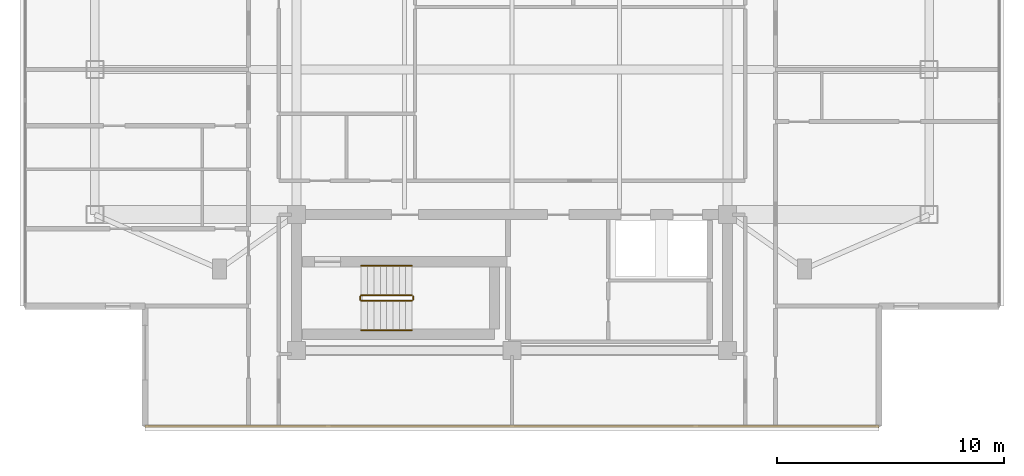
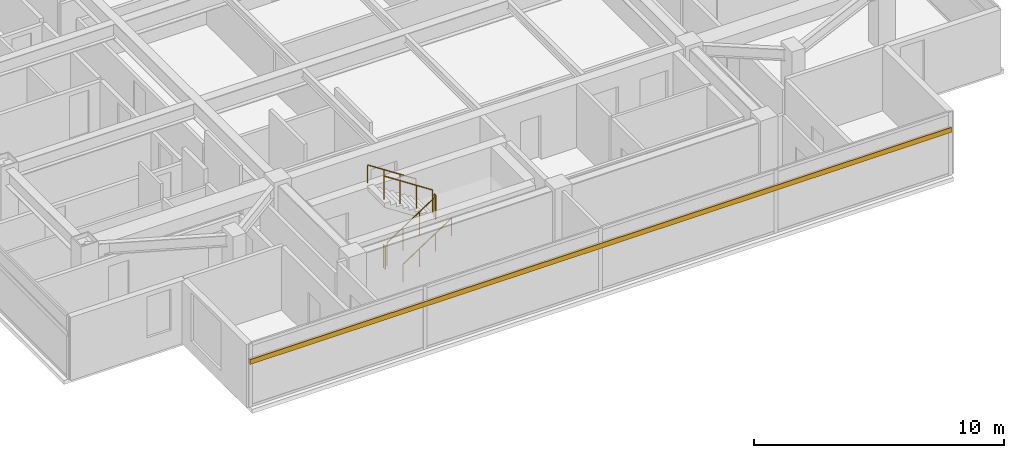
# One storey, part 12 of 14: 6 railings, 1 shading device.
"""IFC4 building model written with IfcOpenShell, lengths in metres."""

import ifcopenshell
import ifcopenshell.guid

model = None  # the IFC model being written
_history = None  # IfcOwnerHistory: only IFC2X3 demands one
_inside = {}  # id of a spatial element -> (the spatial element, [elements in it])
_under = {}  # id of a project, library or spatial element -> (it, [spatial elements below it])
_declared = {}  # id of a project -> (the project, [libraries it declares])
_typed = {}  # id of a type object -> (the type object, [elements of that type])
_made_of = {}  # id of a material, layer set ... -> (it, [elements and type objects made of it])


def new_model(schema):
    """Start an empty IFC model of exactly this schema.

    Asked for "IFC4X3", IfcOpenShell would pick the latest addendum, in which some entities
    have other attributes; the version numbers below select the first issue.
    IFC2X3 requires an IfcOwnerHistory on every rooted entity: one is made here for all.
    """
    global model, _history
    if schema == "IFC4X3":
        model = ifcopenshell.file(schema_version=(4, 3, 0, 0))
    else:
        model = ifcopenshell.file(schema=schema)
    _inside.clear()
    _under.clear()
    _declared.clear()
    _typed.clear()
    _made_of.clear()
    _history = None
    if model.schema == "IFC2X3":
        org = make("IfcOrganization", Name="unknown")
        user = make(
            "IfcPersonAndOrganization",
            ThePerson=make("IfcPerson", FamilyName="unknown"),
            TheOrganization=org,
        )
        app = make(
            "IfcApplication",
            ApplicationDeveloper=org,
            Version="unknown",
            ApplicationFullName="unknown",
            ApplicationIdentifier="unknown",
        )
        _history = make(
            "IfcOwnerHistory",
            OwningUser=user,
            OwningApplication=app,
            ChangeAction="ADDED",
            CreationDate=0,
        )
    return model


def make(cls, **values):
    """One entity of the class cls with the attributes given. An attribute that is None is left unset."""
    return model.create_entity(
        cls, **{name: value for name, value in values.items() if value is not None}
    )


def rooted(cls, **values):
    """An entity with a GlobalId (a new one), such as an element, a storey or a relation."""
    return make(cls, GlobalId=ifcopenshell.guid.new(), OwnerHistory=_history, **values)


def si_unit(unit_type, name, prefix=None):
    """IfcSIUnit, for example si_unit("LENGTHUNIT", "METRE", prefix="MILLI")."""
    return make("IfcSIUnit", UnitType=unit_type, Prefix=prefix, Name=name)


def assignment(units):
    """IfcUnitAssignment: the units of a project."""
    return None if units is None else make("IfcUnitAssignment", Units=units)


def point(xyz):
    """IfcCartesianPoint."""
    return None if xyz is None else make("IfcCartesianPoint", Coordinates=xyz)


def direction(xyz):
    """IfcDirection."""
    return None if xyz is None else make("IfcDirection", DirectionRatios=xyz)


def frame(location, z_axis=None, x_axis=None):
    """IfcAxis2Placement3D, a coordinate frame: its origin and axes. An axis left out is left unset."""
    return make(
        "IfcAxis2Placement3D",
        Location=point(location),
        Axis=direction(z_axis),
        RefDirection=direction(x_axis),
    )


def frame_2d(location, x_axis=None):
    """IfcAxis2Placement2D, a coordinate frame in the plane: its origin and x axis."""
    return make(
        "IfcAxis2Placement2D", Location=point(location), RefDirection=direction(x_axis)
    )


def origin():
    """The frame at (0, 0, 0) with its axes left unset."""
    return frame((0.0, 0.0, 0.0))


def origin_2d():
    """The frame at (0, 0) in the plane with its x axis left unset."""
    return frame_2d((0.0, 0.0))


def place(relative_to, where):
    """IfcLocalPlacement: puts the frame where relative to a parent placement (None: the world)."""
    return make(
        "IfcLocalPlacement", PlacementRelTo=relative_to, RelativePlacement=where
    )


def context(
    kind, dimensions, precision=None, world=None, true_north=None, identifier=None
):
    """IfcGeometricRepresentationContext, for example the 3D "Model" context."""
    return make(
        "IfcGeometricRepresentationContext",
        ContextIdentifier=identifier,
        ContextType=kind,
        CoordinateSpaceDimension=dimensions,
        Precision=precision,
        WorldCoordinateSystem=world,
        TrueNorth=true_north,
    )


def subcontext(parent, identifier, kind, view, scale=None):
    """IfcGeometricRepresentationSubContext, for example "Body" below "Model"."""
    return make(
        "IfcGeometricRepresentationSubContext",
        ContextIdentifier=identifier,
        ContextType=kind,
        ParentContext=parent,
        TargetScale=scale,
        TargetView=view,
    )


def project(units=None, contexts=None):
    """IfcProject with its units and contexts."""
    return rooted(
        "IfcProject",
        Name="project",
        RepresentationContexts=contexts,
        UnitsInContext=assignment(units),
    )


def spatial(cls, under=None, at=None, **own):
    """A site, building, storey or space (cls), placed at a placement, below another one or the project."""
    s = rooted(cls, ObjectPlacement=at, **own)
    if under is not None:
        _under.setdefault(under.id(), (under, []))[1].append(s)
    return s


def profile(cls, at=None, kind="AREA", **sizes):
    """A parametric profile (cls). Its sizes go by their IFC names, for example OverallWidth=200.0."""
    return make(cls, ProfileType=kind, Position=at, **sizes)


def rectangle(**sizes):
    """IfcRectangleProfileDef."""
    return profile("IfcRectangleProfileDef", **sizes)


def circle(**sizes):
    """IfcCircleProfileDef."""
    return profile("IfcCircleProfileDef", **sizes)


def extrude(swept, where, along, depth):
    """IfcExtrudedAreaSolid: the profile swept, set in the frame where, extruded along a direction by depth."""
    return make(
        "IfcExtrudedAreaSolid",
        SweptArea=swept,
        Position=where,
        ExtrudedDirection=direction(along),
        Depth=depth,
    )


def shape(context_of_items, identifier, shape_type, items):
    """IfcShapeRepresentation: the items that make up one representation, for example the "Body"."""
    return make(
        "IfcShapeRepresentation",
        ContextOfItems=context_of_items,
        RepresentationIdentifier=identifier,
        RepresentationType=shape_type,
        Items=items,
    )


def material(Name=None, Category=None):
    """IfcMaterial."""
    return make("IfcMaterial", Name=Name, Category=Category)


def material_profile(
    of_material, cross_section, Name=None, Category=None, Priority=None
):
    """IfcMaterialProfile: a cross section and its material."""
    return make(
        "IfcMaterialProfile",
        Name=Name,
        Material=of_material,
        Profile=cross_section,
        Priority=Priority,
        Category=Category,
    )


def profile_set(profiles, Name=None, composite=None):
    """IfcMaterialProfileSet."""
    return make(
        "IfcMaterialProfileSet",
        Name=Name,
        MaterialProfiles=profiles,
        CompositeProfile=composite,
    )


def made_of(thing, what):
    """Note that an element or type object is made of a material, layer set ...; save() writes the relation."""
    if what is not None:
        _made_of.setdefault(what.id(), (what, []))[1].append(thing)
    return thing


def type_object(cls, material=None, **own):
    """A type object (cls), such as IfcWallType, which elements share."""
    return made_of(rooted(cls, **own), material)


def element(
    cls,
    number,
    at=None,
    inside=None,
    cuts=None,
    type_object=None,
    material=None,
    context=None,
    identifier="Body",
    shape_type=None,
    held_by="IfcProductDefinitionShape",
    body=None,
    shapes=None,
    **own,
):
    """One element of the class cls, such as IfcWall. Its Tag is "e" and its number.

    at: its placement. inside: the storey or other place that contains it. cuts: it is an
    opening in that element (IfcRelVoidsElement). A single representation is given by context,
    identifier, shape_type and body (its items); several are given by shapes. held_by: the class
    of the entity that holds the representations. save() writes the other relations.
    """
    e = rooted(cls, Tag="e%d" % number, ObjectPlacement=at, **own)
    if body is not None:
        shapes = [shape(context, identifier, shape_type, body)]
    if shapes is not None:
        e.Representation = make(held_by, Representations=shapes)
    if inside is not None:
        _inside.setdefault(inside.id(), (inside, []))[1].append(e)
    if cuts is not None:
        rooted(
            "IfcRelVoidsElement", RelatingBuildingElement=cuts, RelatedOpeningElement=e
        )
    if type_object is not None:
        _typed.setdefault(type_object.id(), (type_object, []))[1].append(e)
    return made_of(e, material)


def aggregate(whole, parts):
    """IfcRelAggregates: a whole, such as a stair, and the parts it consists of."""
    return rooted("IfcRelAggregates", RelatingObject=whole, RelatedObjects=parts)


def save(model, path):
    """Write the relations noted so far, then the file.

    IfcRelAggregates (storeys below a building ...), IfcRelContainedInSpatialStructure (elements
    in a storey), IfcRelDefinesByType, IfcRelAssociatesMaterial and IfcRelDeclares: one each for
    every whole, place, type object, material and project.
    """
    for whole, parts in _under.values():
        aggregate(whole, parts)
    for where, things in _inside.values():
        rooted(
            "IfcRelContainedInSpatialStructure",
            RelatedElements=things,
            RelatingStructure=where,
        )
    for kind, things in _typed.values():
        rooted("IfcRelDefinesByType", RelatedObjects=things, RelatingType=kind)
    for what, things in _made_of.values():
        rooted("IfcRelAssociatesMaterial", RelatedObjects=things, RelatingMaterial=what)
    for by, libraries in _declared.values():
        rooted("IfcRelDeclares", RelatingContext=by, RelatedDefinitions=libraries)
    model.write(path)


model = new_model("IFC4")

# Units and contexts
model_context = context("Model", 3, precision=1e-05, world=origin(), true_north=direction((0.0, 1.0)))
body_context = subcontext(model_context, "Body", "Model", "MODEL_VIEW")
ifc_project = project(units=[si_unit("LENGTHUNIT", "METRE"), si_unit("AREAUNIT", "SQUARE_METRE"), si_unit("VOLUMEUNIT", "CUBIC_METRE"), si_unit("PLANEANGLEUNIT", "RADIAN"), si_unit("MASSUNIT", "GRAM", prefix="KILO")], contexts=[model_context])

# Site, building, storey
site_placement = place(None, origin())
site = spatial("IfcSite", under=ifc_project, at=site_placement, CompositionType="ELEMENT")
building_placement = place(site_placement, origin())
building = spatial("IfcBuilding", under=site, at=building_placement, Name="Mirazonda Arch Towers", CompositionType="ELEMENT")
storey_placement = place(building_placement, frame((0.0, 0.0, 235.89990234375)))
storey = spatial("IfcBuildingStorey", under=building, at=storey_placement, Name="L67", CompositionType="ELEMENT", Elevation=235.89990234375)

# Shading device
ifc_material_1 = material(Name="Kiln-Fired Architectural Terracotta", Category="masonry")
ifc_material_profile = material_profile(ifc_material_1, rectangle(XDim=0.1201171875, YDim=0.239990234375, at=origin_2d()), Name="TERRA-BAG-120x240")
ifc_profile_set = profile_set([ifc_material_profile], Name="Kiln-Fired Architectural Terracotta")
shading_device_type = type_object("IfcShadingDeviceType", Name="BAGUETTE-1", PredefinedType="USERDEFINED", material=ifc_profile_set)
shading_device_placement = place(storey_placement, frame((36.68994140625, 9.070068359375, 2.2177734375), z_axis=(-1.0, 0.0, 0.0), x_axis=(0.0, -1.0, 0.0)))
element("IfcShadingDevice", 1, at=shading_device_placement, inside=storey, type_object=shading_device_type, Name="L67 Glazed Terracotta Sun-Screen Baguette CW-L67-T1-S", ObjectType="BAGUETTE", PredefinedType="USERDEFINED", context=body_context, shape_type="SweptSolid", body=[
    extrude(rectangle(XDim=0.1201171875, YDim=0.239990234375, at=origin_2d()), origin(), (0.0, 0.0, 1.0), 32.3798828125),
])

# Railings
ifc_material_2 = material(Name="Architectural Brushed Steel S355", Category="steel")
railing_type_1 = type_object("IfcRailingType", Name="GUARD-STAIR-1120", PredefinedType="GUARDRAIL", material=ifc_material_2)
railing_1_placement = place(storey_placement, frame((13.85009765625, 14.60009765625, 0.183349609375)))
element("IfcRailing", 2, at=railing_1_placement, inside=storey, type_object=railing_type_1, Name="L67 ST-T1S stair guard 1", PredefinedType="GUARDRAIL", context=body_context, shape_type="SweptSolid", body=[
    extrude(circle(Radius=0.02392578125, at=origin_2d()), frame((0.0, 0.0, 1.1259765625), z_axis=(0.836595146698, 0.0, 0.547821650285), x_axis=(0.0, 1.0, 0.0)), (0.0, 0.0, 1.0), 2.677490234375),
    extrude(circle(Radius=0.02099609375, at=origin_2d()), origin(), (0.0, 0.0, 1.0), 1.101806640625),
    extrude(circle(Radius=0.02099609375, at=origin_2d()), frame((0.74658203125, 0.0, 0.489013671875)), (0.0, 0.0, 1.0), 1.101806640625),
    extrude(circle(Radius=0.02099609375, at=origin_2d()), frame((1.493408203125, 0.0, 0.977783203125)), (0.0, 0.0, 1.0), 1.101806640625),
    extrude(circle(Radius=0.02099609375, at=origin_2d()), frame((2.239990234375, 0.0, 1.466796875)), (0.0, 0.0, 1.0), 1.101806640625),
])
railing_2_placement = place(storey_placement, frame((16.139892578125, 14.64990234375, 1.650146484375)))
element("IfcRailing", 3, at=railing_2_placement, inside=storey, type_object=railing_type_1, Name="L67 ST-T1S stair guard 2", PredefinedType="GUARDRAIL", context=body_context, shape_type="SweptSolid", body=[
    extrude(circle(Radius=0.02392578125, at=origin_2d()), frame((0.0, 0.0, 1.1259765625), z_axis=(0.0, 1.0, 0.0), x_axis=(-1.0, 0.0, 0.0)), (0.0, 0.0, 1.0), 0.14013671875),
    extrude(circle(Radius=0.02099609375, at=origin_2d()), origin(), (0.0, 0.0, 1.0), 1.101806640625),
    extrude(circle(Radius=0.02099609375, at=origin_2d()), frame((0.0, 0.14013671875, 0.0)), (0.0, 0.0, 1.0), 1.101806640625),
])
railing_3_placement = place(storey_placement, frame((16.090087890625, 14.840087890625, 1.83349609375)))
element("IfcRailing", 4, at=railing_3_placement, inside=storey, type_object=railing_type_1, Name="L67 ST-T1S stair guard 3", PredefinedType="GUARDRAIL", context=body_context, shape_type="SweptSolid", body=[
    extrude(circle(Radius=0.02392578125, at=origin_2d()), frame((0.0, 0.0, 1.1259765625), z_axis=(-0.836636935527, 0.0, 0.547757827979), x_axis=(0.0, -1.0, 0.0)), (0.0, 0.0, 1.0), 2.677490234375),
    extrude(circle(Radius=0.02099609375, at=origin_2d()), origin(), (0.0, 0.0, 1.0), 1.101806640625),
    extrude(circle(Radius=0.02099609375, at=origin_2d()), frame((-0.74658203125, 0.0, 0.48876953125)), (0.0, 0.0, 1.0), 1.101806640625),
    extrude(circle(Radius=0.02099609375, at=origin_2d()), frame((-1.493408203125, 0.0, 0.977783203125)), (0.0, 0.0, 1.0), 1.101806640625),
    extrude(circle(Radius=0.02099609375, at=origin_2d()), frame((-2.239990234375, 0.0, 1.466552734375)), (0.0, 0.0, 1.0), 1.101806640625),
])
railing_4_placement = place(storey_placement, frame((13.800048828125, 14.64990234375, 0.0)))
element("IfcRailing", 5, at=railing_4_placement, inside=storey, type_object=railing_type_1, Name="L67 ST-T1S stair guard 4", PredefinedType="GUARDRAIL", context=body_context, shape_type="SweptSolid", body=[
    extrude(circle(Radius=0.02392578125, at=origin_2d()), frame((0.0, 0.0, 1.1259765625), z_axis=(0.0, 1.0, 0.0), x_axis=(-1.0, 0.0, 0.0)), (0.0, 0.0, 1.0), 0.14013671875),
    extrude(circle(Radius=0.02099609375, at=origin_2d()), origin(), (0.0, 0.0, 1.0), 1.101806640625),
    extrude(circle(Radius=0.02099609375, at=origin_2d()), frame((0.0, 0.14013671875, 0.0)), (0.0, 0.0, 1.0), 1.101806640625),
])
railing_type_2 = type_object("IfcRailingType", Name="HANDRAIL-915", PredefinedType="HANDRAIL", material=ifc_material_2)
railing_5_placement = place(storey_placement, frame((13.85009765625, 13.300048828125, 0.183349609375)))
element("IfcRailing", 6, at=railing_5_placement, inside=storey, type_object=railing_type_2, Name="L67 ST-T1S stair handrail 1", PredefinedType="HANDRAIL", context=body_context, shape_type="SweptSolid", body=[
    extrude(circle(Radius=0.02392578125, at=origin_2d()), frame((0.0, 0.0, 0.8759765625), z_axis=(0.836595146698, 0.0, 0.547821650285), x_axis=(0.0, 1.0, 0.0)), (0.0, 0.0, 1.0), 2.677490234375),
    extrude(circle(Radius=0.02099609375, at=origin_2d()), origin(), (0.0, 0.0, 1.0), 0.851806640625),
    extrude(circle(Radius=0.02099609375, at=origin_2d()), frame((0.74658203125, 0.0, 0.489013671875)), (0.0, 0.0, 1.0), 0.851806640625),
    extrude(circle(Radius=0.02099609375, at=origin_2d()), frame((1.493408203125, 0.0, 0.977783203125)), (0.0, 0.0, 1.0), 0.851806640625),
    extrude(circle(Radius=0.02099609375, at=origin_2d()), frame((2.239990234375, 0.0, 1.466796875)), (0.0, 0.0, 1.0), 0.851806640625),
])
railing_6_placement = place(storey_placement, frame((16.090087890625, 16.139892578125, 1.83349609375)))
element("IfcRailing", 7, at=railing_6_placement, inside=storey, type_object=railing_type_2, Name="L67 ST-T1S stair handrail 2", PredefinedType="HANDRAIL", context=body_context, shape_type="SweptSolid", body=[
    extrude(circle(Radius=0.02392578125, at=origin_2d()), frame((0.0, 0.0, 0.8759765625), z_axis=(-0.836636935527, 0.0, 0.547757827979), x_axis=(0.0, -1.0, 0.0)), (0.0, 0.0, 1.0), 2.677490234375),
    extrude(circle(Radius=0.02099609375, at=origin_2d()), origin(), (0.0, 0.0, 1.0), 0.851806640625),
    extrude(circle(Radius=0.02099609375, at=origin_2d()), frame((-0.74658203125, 0.0, 0.48876953125)), (0.0, 0.0, 1.0), 0.851806640625),
    extrude(circle(Radius=0.02099609375, at=origin_2d()), frame((-1.493408203125, 0.0, 0.977783203125)), (0.0, 0.0, 1.0), 0.851806640625),
    extrude(circle(Radius=0.02099609375, at=origin_2d()), frame((-2.239990234375, 0.0, 1.466552734375)), (0.0, 0.0, 1.0), 0.851806640625),
])

save(model, "model.ifc")
